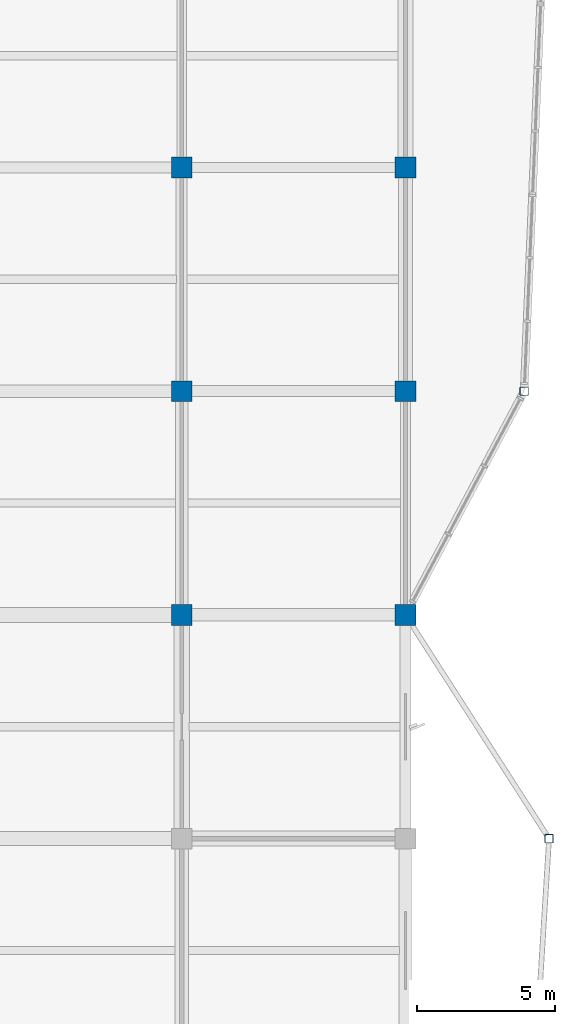
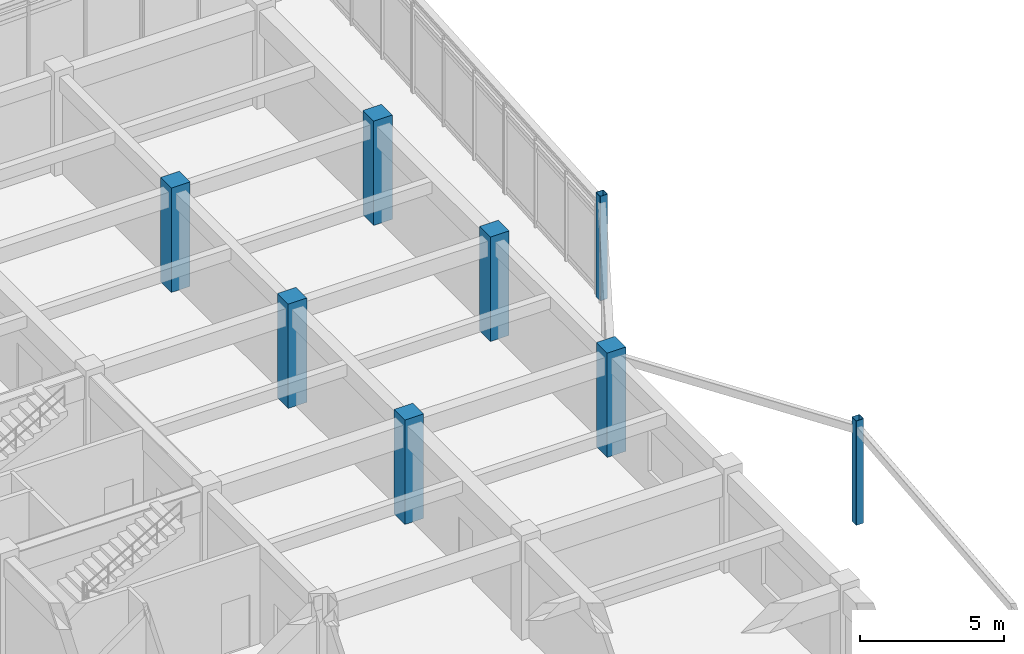
# One storey, part 16 of 89: 8 columns.
"""IFC4 building model written with IfcOpenShell, lengths in metres."""

from ifc_helpers import new_model, si_unit, direction, frame, origin, origin_2d, place, context, subcontext, project, spatial, rectangle, hollow_rectangle, extrude, material, material_profile, profile_set, type_object, element, save


model = new_model("IFC4")

# Units and contexts
model_context = context("Model", 3, precision=1e-05, world=origin(), true_north=direction((0.0, 1.0)))
body_context = subcontext(model_context, "Body", "Model", "MODEL_VIEW")
ifc_project = project(units=[si_unit("LENGTHUNIT", "METRE"), si_unit("AREAUNIT", "SQUARE_METRE"), si_unit("VOLUMEUNIT", "CUBIC_METRE"), si_unit("PLANEANGLEUNIT", "RADIAN"), si_unit("MASSUNIT", "GRAM", prefix="KILO")], contexts=[model_context])

# Site, building, storey
site_placement = place(None, origin())
site = spatial("IfcSite", under=ifc_project, at=site_placement, CompositionType="ELEMENT")
building_placement = place(site_placement, origin())
building = spatial("IfcBuilding", under=site, at=building_placement, Name="Vaudrelin Polytechnic", CompositionType="ELEMENT")
storey_placement = place(building_placement, frame((0.0, 0.0, 9.68994140625)))
storey = spatial("IfcBuildingStorey", under=building, at=storey_placement, Name="L02", CompositionType="ELEMENT", Elevation=9.68994140625)

# Columns
ifc_material_1 = material(Name="Steel CSA G40.21 350WT", Category="steel")
ifc_material_profile_1 = material_profile(ifc_material_1, hollow_rectangle(XDim=0.304931640625, YDim=0.304931640625, WallThickness=0.0126953125, InnerFilletRadius=0.0126953125, OuterFilletRadius=0.025390625, at=origin_2d()), Name="HSS305x305x12.7")
ifc_profile_set_1 = profile_set([ifc_material_profile_1], Name="Steel CSA G40.21 350WT")
column_type_1 = type_object("IfcColumnType", Name="COL-C-HSS305", PredefinedType="COLUMN", material=ifc_profile_set_1)
for number, where, z_axis, x_axis, name in (
    (1, (174.39990234375, 105.300048828125, 0.0), (0.0, 0.0, 1.0), (1.0, 0.0, 0.0), "Deconstructivist column L02 NE_E"),
    (2, (175.300048828125, 89.10009765625, 0.0), (0.0, 0.0, 1.0), (1.0, 0.0, 0.0), "Deconstructivist column L02 E_OR2_2"),
):
    element("IfcColumn", number, at=place(storey_placement, frame(where, z_axis=z_axis, x_axis=x_axis)), inside=storey, type_object=column_type_1, Name=name, PredefinedType="COLUMN", context=body_context, shape_type="SweptSolid", body=[
        extrude(hollow_rectangle(XDim=0.304931640625, YDim=0.304931640625, WallThickness=0.0126953125, InnerFilletRadius=0.0126953125, OuterFilletRadius=0.025390625, at=origin_2d()), origin(), (0.0, 0.0, 1.0), 4.420166015625),
    ])
ifc_material_2 = material(Name="Concrete 50 MPa", Category="concrete")
ifc_material_profile_2 = material_profile(ifc_material_2, rectangle(XDim=0.75, YDim=0.75, at=origin_2d()), Name="RC750x750")
ifc_profile_set_2 = profile_set([ifc_material_profile_2], Name="Concrete 50 MPa")
column_type_2 = type_object("IfcColumnType", Name="COL-C-RC750", PredefinedType="COLUMN", material=ifc_profile_set_2)
for number, where, z_axis, x_axis, name in (
    (3, (162.0, 97.199951171875, 0.0), (0.0, 0.0, 1.0), (1.0, 0.0, 0.0), "Column L02 21-13"),
    (4, (162.0, 105.300048828125, 0.0), (0.0, 0.0, 1.0), (1.0, 0.0, 0.0), "Column L02 21-14"),
    (5, (162.0, 113.39990234375, 0.0), (0.0, 0.0, 1.0), (1.0, 0.0, 0.0), "Column L02 21-15"),
    (6, (170.10009765625, 97.199951171875, 0.0), (0.0, 0.0, 1.0), (1.0, 0.0, 0.0), "Column L02 22-13"),
    (7, (170.10009765625, 105.300048828125, 0.0), (0.0, 0.0, 1.0), (1.0, 0.0, 0.0), "Column L02 22-14"),
    (8, (170.10009765625, 113.39990234375, 0.0), (0.0, 0.0, 1.0), (1.0, 0.0, 0.0), "Column L02 22-15"),
):
    element("IfcColumn", number, at=place(storey_placement, frame(where, z_axis=z_axis, x_axis=x_axis)), inside=storey, type_object=column_type_2, Name=name, PredefinedType="COLUMN", context=body_context, shape_type="SweptSolid", body=[
        extrude(rectangle(XDim=0.75, YDim=0.75, at=origin_2d()), origin(), (0.0, 0.0, 1.0), 4.420166015625),
    ])

save(model, "model.ifc")
